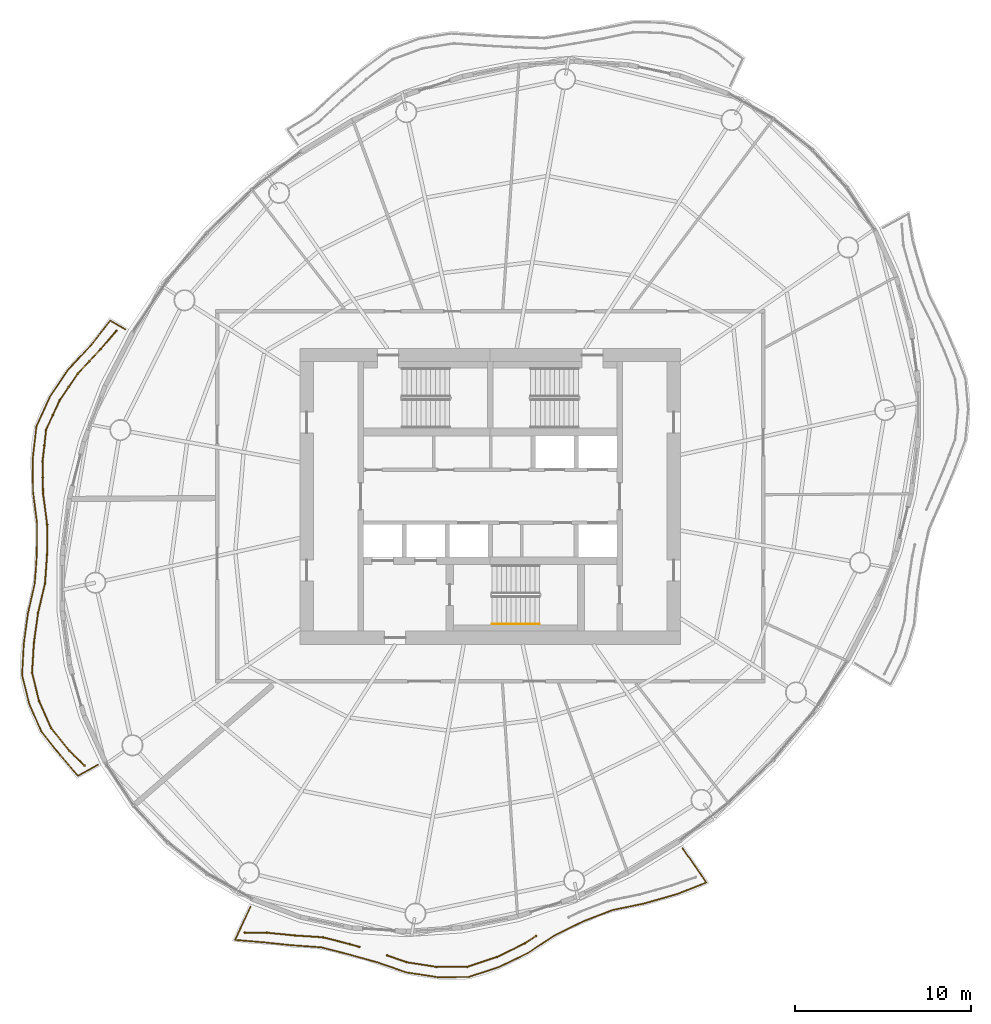
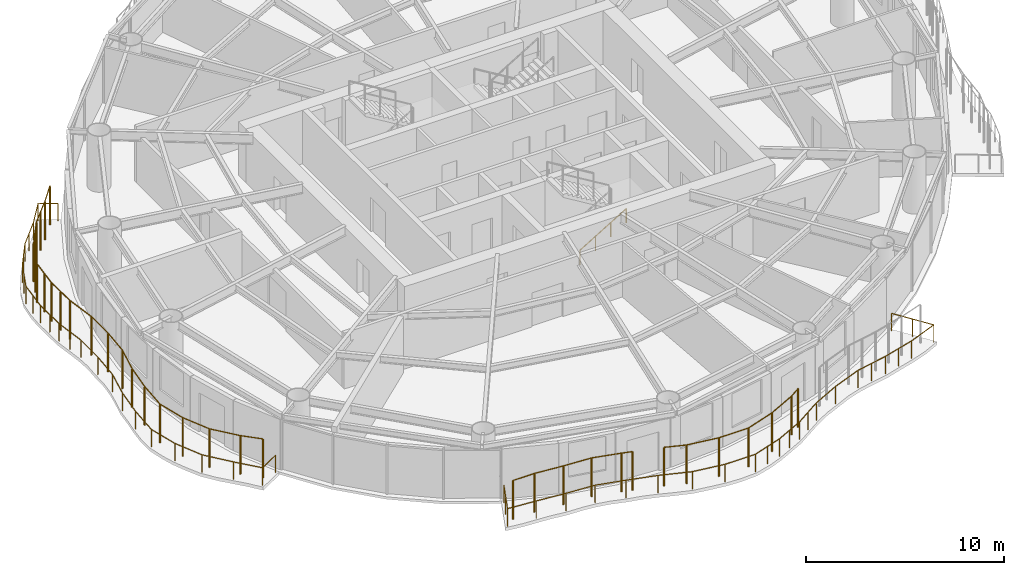
# One storey, part 12 of 15: 6 railings.
"""IFC4 building model written with IfcOpenShell, lengths in metres."""

from ifc_helpers import new_model, si_unit, direction, frame, origin, origin_2d, place, context, subcontext, project, spatial, circle, extrude, material, type_object, element, save


model = new_model("IFC4")

# Units and contexts
model_context = context("Model", 3, precision=1e-05, world=origin(), true_north=direction((0.0, 1.0)))
body_context = subcontext(model_context, "Body", "Model", "MODEL_VIEW")
ifc_project = project(units=[si_unit("LENGTHUNIT", "METRE"), si_unit("AREAUNIT", "SQUARE_METRE"), si_unit("VOLUMEUNIT", "CUBIC_METRE"), si_unit("PLANEANGLEUNIT", "RADIAN"), si_unit("MASSUNIT", "GRAM", prefix="KILO")], contexts=[model_context])

# Site, building, storey
site_placement = place(None, origin())
site = spatial("IfcSite", under=ifc_project, at=site_placement, CompositionType="ELEMENT")
building_placement = place(site_placement, origin())
building = spatial("IfcBuilding", under=site, at=building_placement, Name="Vermilion Reach Broadcast Tower", CompositionType="ELEMENT")
storey_placement = place(building_placement, frame((0.0, 0.0, 220.89990234375)))
storey = spatial("IfcBuildingStorey", under=building, at=storey_placement, Name="L54", CompositionType="ELEMENT", Elevation=220.89990234375)

# Railings
ifc_material_1 = material(Name="Terracotta baguette", Category="masonry")
railing_type_1 = type_object("IfcRailingType", Name="BAGUETTE SCREEN", PredefinedType="USERDEFINED", material=ifc_material_1)
railing_1_placement = place(storey_placement, frame((-27.230712890625, 9.4013671875, 0.0)))
element("IfcRailing", 1, at=railing_1_placement, inside=storey, type_object=railing_type_1, Name="Baguette screen L54 group 2", ObjectType="BAGUETTE SCREEN", PredefinedType="USERDEFINED", context=body_context, shape_type="SweptSolid", body=[
    extrude(circle(Radius=0.030029296875, at=origin_2d()), frame((0.0, 0.0, 2.369873046875), z_axis=(-0.651660571334, -0.758510711704, 0.0), x_axis=(0.758510711704, -0.651660571334, 0.0)), (0.0, 0.0, 1.0), 1.364013671875),
    extrude(circle(Radius=0.030029296875, at=origin_2d()), frame((-0.888916015625, -1.03466796875, 2.369873046875), z_axis=(-0.684090963345, -0.729396705414, 0.0), x_axis=(0.729396705414, -0.684090963345, 0.0)), (0.0, 0.0, 1.0), 1.896728515625),
    extrude(circle(Radius=0.030029296875, at=origin_2d()), frame((-2.1865234375, -2.418212890625, 2.369873046875), z_axis=(-0.562454637264, -0.826828144792, 0.0), x_axis=(0.826828144792, -0.562454637264, 0.0)), (0.0, 0.0, 1.0), 1.846923828125),
    extrude(circle(Radius=0.030029296875, at=origin_2d()), frame((-3.225341796875, -3.9453125, 2.369873046875), z_axis=(-0.416205946911, -0.909270372197, 0.0), x_axis=(0.909270372197, -0.416205946911, 0.0)), (0.0, 0.0, 1.0), 1.8359375),
    extrude(circle(Radius=0.030029296875, at=origin_2d()), frame((-3.989501953125, -5.61474609375, 2.369873046875), z_axis=(-0.111095792971, -0.9938097025, 0.0), x_axis=(0.9938097025, -0.111095792971, 0.0)), (0.0, 0.0, 1.0), 1.815185546875),
    extrude(circle(Radius=0.030029296875, at=origin_2d()), frame((-4.191162109375, -7.418701171875, 2.369873046875), z_axis=(0.01540958798, -0.99988126525, 0.0), x_axis=(0.99988126525, 0.01540958798, 0.0)), (0.0, 0.0, 1.0), 1.822021484375),
    extrude(circle(Radius=0.030029296875, at=origin_2d()), frame((-4.1630859375, -9.240478515625, 2.369873046875), z_axis=(0.130706671115, -0.991421084165, 0.0), x_axis=(0.991421084165, 0.130706671115, 0.0)), (0.0, 0.0, 1.0), 1.778076171875),
    extrude(circle(Radius=0.030029296875, at=origin_2d()), frame((-3.9306640625, -11.00341796875, 2.369873046875), z_axis=(-0.001585469325, -0.999998743143, 0.0), x_axis=(0.999998743143, -0.001585469325, 0.0)), (0.0, 0.0, 1.0), 1.69384765625),
    extrude(circle(Radius=0.030029296875, at=origin_2d()), frame((-3.933349609375, -12.697265625, 2.369873046875), z_axis=(-0.072788238732, -0.997347418056, 0.0), x_axis=(0.997347418056, -0.072788238732, 0.0)), (0.0, 0.0, 1.0), 1.6435546875),
    extrude(circle(Radius=0.030029296875, at=origin_2d()), frame((-4.052978515625, -14.33642578125, 2.369873046875), z_axis=(-0.227592697386, -0.973756419284, 0.0), x_axis=(0.973756419284, -0.227592697386, 0.0)), (0.0, 0.0, 1.0), 1.7216796875),
    extrude(circle(Radius=0.030029296875, at=origin_2d()), frame((-4.44482421875, -16.012939453125, 2.369873046875), z_axis=(-0.13965106726, -0.990200777324, 0.0), x_axis=(0.990200777324, -0.13965106726, 0.0)), (0.0, 0.0, 1.0), 1.69921875),
    extrude(circle(Radius=0.030029296875, at=origin_2d()), frame((-4.68212890625, -17.695556640625, 2.369873046875), z_axis=(-0.061121543369, -0.998130330636, 0.0), x_axis=(0.998130330636, -0.061121543369, 0.0)), (0.0, 0.0, 1.0), 1.7294921875),
    extrude(circle(Radius=0.030029296875, at=origin_2d()), frame((-4.787841796875, -19.421875, 2.369873046875), z_axis=(0.24066492346, -0.970608260121, 0.0), x_axis=(0.970608260121, 0.24066492346, 0.0)), (0.0, 0.0, 1.0), 1.65869140625),
    extrude(circle(Radius=0.030029296875, at=origin_2d()), frame((-4.388671875, -21.03173828125, 2.369873046875), z_axis=(0.405024092099, -0.914306012678, 0.0), x_axis=(0.914306012678, 0.405024092099, 0.0)), (0.0, 0.0, 1.0), 1.667236328125),
    extrude(circle(Radius=0.030029296875, at=origin_2d()), frame((-3.71337890625, -22.55615234375, 2.369873046875), z_axis=(0.628975651827, -0.777424999218, 0.0), x_axis=(0.777424999218, 0.628975651827, 0.0)), (0.0, 0.0, 1.0), 1.672607421875),
    extrude(circle(Radius=0.030029296875, at=origin_2d()), frame((-2.661376953125, -23.8564453125, 2.369873046875), z_axis=(0.715979618949, -0.698121182353, 0.0), x_axis=(0.698121182353, 0.715979618949, 0.0)), (0.0, 0.0, 1.0), 1.189453125),
    extrude(circle(Radius=0.050048828125, at=origin_2d()), origin(), (0.0, 0.0, 1.0), 2.33984375),
    extrude(circle(Radius=0.050048828125, at=origin_2d()), frame((-0.888916015625, -1.03466796875, 0.0)), (0.0, 0.0, 1.0), 2.33984375),
    extrude(circle(Radius=0.050048828125, at=origin_2d()), frame((-1.53759765625, -1.7265625, 0.0)), (0.0, 0.0, 1.0), 2.33984375),
    extrude(circle(Radius=0.050048828125, at=origin_2d()), frame((-2.1865234375, -2.418212890625, 0.0)), (0.0, 0.0, 1.0), 2.33984375),
    extrude(circle(Radius=0.050048828125, at=origin_2d()), frame((-2.7060546875, -3.181640625, 0.0)), (0.0, 0.0, 1.0), 2.33984375),
    extrude(circle(Radius=0.050048828125, at=origin_2d()), frame((-3.225341796875, -3.9453125, 0.0)), (0.0, 0.0, 1.0), 2.33984375),
    extrude(circle(Radius=0.050048828125, at=origin_2d()), frame((-3.607421875, -4.780029296875, 0.0)), (0.0, 0.0, 1.0), 2.33984375),
    extrude(circle(Radius=0.050048828125, at=origin_2d()), frame((-3.989501953125, -5.61474609375, 0.0)), (0.0, 0.0, 1.0), 2.33984375),
    extrude(circle(Radius=0.050048828125, at=origin_2d()), frame((-4.09033203125, -6.5166015625, 0.0)), (0.0, 0.0, 1.0), 2.33984375),
    extrude(circle(Radius=0.050048828125, at=origin_2d()), frame((-4.191162109375, -7.418701171875, 0.0)), (0.0, 0.0, 1.0), 2.33984375),
    extrude(circle(Radius=0.050048828125, at=origin_2d()), frame((-4.17724609375, -8.32958984375, 0.0)), (0.0, 0.0, 1.0), 2.33984375),
    extrude(circle(Radius=0.050048828125, at=origin_2d()), frame((-4.1630859375, -9.240478515625, 0.0)), (0.0, 0.0, 1.0), 2.33984375),
    extrude(circle(Radius=0.050048828125, at=origin_2d()), frame((-3.9306640625, -11.00341796875, 0.0)), (0.0, 0.0, 1.0), 2.33984375),
    extrude(circle(Radius=0.050048828125, at=origin_2d()), frame((-3.933349609375, -12.697265625, 0.0)), (0.0, 0.0, 1.0), 2.33984375),
    extrude(circle(Radius=0.050048828125, at=origin_2d()), frame((-4.052978515625, -14.33642578125, 0.0)), (0.0, 0.0, 1.0), 2.33984375),
    extrude(circle(Radius=0.050048828125, at=origin_2d()), frame((-4.44482421875, -16.012939453125, 0.0)), (0.0, 0.0, 1.0), 2.33984375),
    extrude(circle(Radius=0.050048828125, at=origin_2d()), frame((-4.68212890625, -17.695556640625, 0.0)), (0.0, 0.0, 1.0), 2.33984375),
    extrude(circle(Radius=0.050048828125, at=origin_2d()), frame((-4.787841796875, -19.421875, 0.0)), (0.0, 0.0, 1.0), 2.33984375),
    extrude(circle(Radius=0.050048828125, at=origin_2d()), frame((-4.388671875, -21.03173828125, 0.0)), (0.0, 0.0, 1.0), 2.33984375),
    extrude(circle(Radius=0.050048828125, at=origin_2d()), frame((-3.71337890625, -22.55615234375, 0.0)), (0.0, 0.0, 1.0), 2.33984375),
    extrude(circle(Radius=0.050048828125, at=origin_2d()), frame((-2.661376953125, -23.8564453125, 0.0)), (0.0, 0.0, 1.0), 2.33984375),
    extrude(circle(Radius=0.050048828125, at=origin_2d()), frame((-1.809814453125, -24.686767578125, 0.0)), (0.0, 0.0, 1.0), 2.33984375),
])
railing_2_placement = place(storey_placement, frame((-19.934814453125, -24.775634765625, 0.0)))
element("IfcRailing", 2, at=railing_2_placement, inside=storey, type_object=railing_type_1, Name="Baguette screen L54 group 3 part 1", ObjectType="BAGUETTE SCREEN", PredefinedType="USERDEFINED", context=body_context, shape_type="SweptSolid", body=[
    extrude(circle(Radius=0.030029296875, at=origin_2d()), frame((0.0, 0.0, 2.369873046875), z_axis=(0.999999827599, -0.000587198959, 0.0), x_axis=(0.000587198959, 0.999999827599, 0.0)), (0.0, 0.0, 1.0), 1.247314453125),
    extrude(circle(Radius=0.030029296875, at=origin_2d()), frame((1.247314453125, -0.000732421875, 2.369873046875), z_axis=(0.995204453765, -0.097816640748, 0.0), x_axis=(0.097816640748, 0.995204453765, 0.0)), (0.0, 0.0, 1.0), 1.60498046875),
    extrude(circle(Radius=0.030029296875, at=origin_2d()), frame((2.844482421875, -0.15771484375, 2.369873046875), z_axis=(0.997893231731, -0.064877562106, 0.0), x_axis=(0.064877562106, 0.997893231731, 0.0)), (0.0, 0.0, 1.0), 1.599365234375),
    extrude(circle(Radius=0.030029296875, at=origin_2d()), frame((4.4404296875, -0.261474609375, 2.369873046875), z_axis=(0.968455427863, -0.249186846046, 0.0), x_axis=(0.249186846046, 0.968455427863, 0.0)), (0.0, 0.0, 1.0), 1.570556640625),
    extrude(circle(Radius=0.030029296875, at=origin_2d()), frame((5.96142578125, -0.65283203125, 2.369873046875), z_axis=(0.962584558885, -0.270981488292, 0.0), x_axis=(0.270981488292, 0.962584558885, 0.0)), (0.0, 0.0, 1.0), 0.5693359375),
    extrude(circle(Radius=0.050048828125, at=origin_2d()), origin(), (0.0, 0.0, 1.0), 2.33984375),
    extrude(circle(Radius=0.050048828125, at=origin_2d()), frame((1.247314453125, -0.000732421875, 0.0)), (0.0, 0.0, 1.0), 2.33984375),
    extrude(circle(Radius=0.050048828125, at=origin_2d()), frame((2.844482421875, -0.15771484375, 0.0)), (0.0, 0.0, 1.0), 2.33984375),
    extrude(circle(Radius=0.050048828125, at=origin_2d()), frame((4.4404296875, -0.261474609375, 0.0)), (0.0, 0.0, 1.0), 2.33984375),
    extrude(circle(Radius=0.050048828125, at=origin_2d()), frame((5.96142578125, -0.65283203125, 0.0)), (0.0, 0.0, 1.0), 2.33984375),
    extrude(circle(Radius=0.050048828125, at=origin_2d()), frame((6.509521484375, -0.80712890625, 0.0)), (0.0, 0.0, 1.0), 2.33984375),
])
railing_3_placement = place(storey_placement, frame((-11.856201171875, -26.063720703125, 0.0)))
element("IfcRailing", 3, at=railing_3_placement, inside=storey, type_object=railing_type_1, Name="Baguette screen L54 group 3 part 2", ObjectType="BAGUETTE SCREEN", PredefinedType="USERDEFINED", context=body_context, shape_type="SweptSolid", body=[
    extrude(circle(Radius=0.030029296875, at=origin_2d()), frame((0.0, 0.0, 2.369873046875), z_axis=(0.942466408716, -0.334300865154, 0.0), x_axis=(0.334300865154, 0.942466408716, 0.0)), (0.0, 0.0, 1.0), 1.1552734375),
    extrude(circle(Radius=0.030029296875, at=origin_2d()), frame((1.0888671875, -0.38623046875, 2.369873046875), z_axis=(0.987993349746, -0.154496410499, 0.0), x_axis=(0.154496410499, 0.987993349746, 0.0)), (0.0, 0.0, 1.0), 1.74462890625),
    extrude(circle(Radius=0.030029296875, at=origin_2d()), frame((2.8125, -0.65576171875, 2.369873046875), z_axis=(0.999999960292, 0.000281809204, 0.0), x_axis=(-0.000281809204, 0.999999960292, 0.0)), (0.0, 0.0, 1.0), 1.732666015625),
    extrude(circle(Radius=0.030029296875, at=origin_2d()), frame((4.545166015625, -0.6552734375, 2.369873046875), z_axis=(0.948888396353, 0.315611804701, 0.0), x_axis=(-0.315611804701, 0.948888396353, 0.0)), (0.0, 0.0, 1.0), 1.78369140625),
    extrude(circle(Radius=0.030029296875, at=origin_2d()), frame((6.23779296875, -0.09228515625, 2.369873046875), z_axis=(0.898312250038, 0.439357600858, 0.0), x_axis=(-0.439357600858, 0.898312250038, 0.0)), (0.0, 0.0, 1.0), 1.781494140625),
    extrude(circle(Radius=0.030029296875, at=origin_2d()), frame((7.838134765625, 0.6904296875, 2.369873046875), z_axis=(0.834180504305, 0.551491510575, 0.0), x_axis=(-0.551491510575, 0.834180504305, 0.0)), (0.0, 0.0, 1.0), 0.738525390625),
    extrude(circle(Radius=0.050048828125, at=origin_2d()), origin(), (0.0, 0.0, 1.0), 2.33984375),
    extrude(circle(Radius=0.050048828125, at=origin_2d()), frame((1.0888671875, -0.38623046875, 0.0)), (0.0, 0.0, 1.0), 2.33984375),
    extrude(circle(Radius=0.050048828125, at=origin_2d()), frame((2.8125, -0.65576171875, 0.0)), (0.0, 0.0, 1.0), 2.33984375),
    extrude(circle(Radius=0.050048828125, at=origin_2d()), frame((4.545166015625, -0.6552734375, 0.0)), (0.0, 0.0, 1.0), 2.33984375),
    extrude(circle(Radius=0.050048828125, at=origin_2d()), frame((6.23779296875, -0.09228515625, 0.0)), (0.0, 0.0, 1.0), 2.33984375),
    extrude(circle(Radius=0.050048828125, at=origin_2d()), frame((7.838134765625, 0.6904296875, 0.0)), (0.0, 0.0, 1.0), 2.33984375),
    extrude(circle(Radius=0.050048828125, at=origin_2d()), frame((8.4541015625, 1.09765625, 0.0)), (0.0, 0.0, 1.0), 2.33984375),
])
ifc_material_2 = material(Name="Stainless steel 316 balustrade", Category="steel")
railing_type_2 = type_object("IfcRailingType", Name="Balcony guard 1100", PredefinedType="BALUSTRADE", material=ifc_material_2)
railing_4_placement = place(storey_placement, frame((-26.711669921875, 9.4775390625, 0.0)))
element("IfcRailing", 4, at=railing_4_placement, inside=storey, type_object=railing_type_2, Name="Balcony guard L54 group 2", PredefinedType="BALUSTRADE", context=body_context, shape_type="SweptSolid", body=[
    extrude(circle(Radius=0.02490234375, at=origin_2d()), frame((0.0, 0.0, 1.0751953125), z_axis=(-0.861109975572, 0.508418734873, 0.0), x_axis=(-0.508418734873, -0.861109975572, 0.0)), (0.0, 0.0, 1.0), 1.006591796875),
    extrude(circle(Radius=0.02490234375, at=origin_2d()), frame((-0.86669921875, 0.51171875, 1.0751953125), z_axis=(-0.61462891122, -0.788816392763, 0.0), x_axis=(0.788816392763, -0.61462891122, 0.0)), (0.0, 0.0, 1.0), 1.71826171875),
    extrude(circle(Radius=0.02490234375, at=origin_2d()), frame((-1.9228515625, -0.84375, 1.0751953125), z_axis=(-0.680407383219, -0.732834082764, 0.0), x_axis=(0.732834082764, -0.680407383219, 0.0)), (0.0, 0.0, 1.0), 1.927978515625),
    extrude(circle(Radius=0.02490234375, at=origin_2d()), frame((-3.234619140625, -2.256591796875, 1.0751953125), z_axis=(-0.559428227893, -0.828878795625, 0.0), x_axis=(0.828878795625, -0.559428227893, 0.0)), (0.0, 0.0, 1.0), 1.879150390625),
    extrude(circle(Radius=0.02490234375, at=origin_2d()), frame((-4.285888671875, -3.814208984375, 1.0751953125), z_axis=(-0.414806078637, -0.909909840108, 0.0), x_axis=(0.909909840108, -0.414806078637, 0.0)), (0.0, 0.0, 1.0), 1.869873046875),
    extrude(circle(Radius=0.02490234375, at=origin_2d()), frame((-5.0615234375, -5.515625, 1.0751953125), z_axis=(-0.113982402221, -0.993482768841, 0.0), x_axis=(0.993482768841, -0.113982402221, 0.0)), (0.0, 0.0, 1.0), 1.848388671875),
    extrude(circle(Radius=0.02490234375, at=origin_2d()), frame((-5.272216796875, -7.35205078125, 1.0751953125), z_axis=(0.010914657544, -0.999940433351, 0.0), x_axis=(0.999940433351, 0.010914657544, 0.0)), (0.0, 0.0, 1.0), 1.8564453125),
    extrude(circle(Radius=0.02490234375, at=origin_2d()), frame((-5.251953125, -9.20849609375, 1.0751953125), z_axis=(0.125162223433, -0.992136289945, 0.0), x_axis=(0.992136289945, 0.125162223433, 0.0)), (0.0, 0.0, 1.0), 1.81201171875),
    extrude(circle(Radius=0.02490234375, at=origin_2d()), frame((-5.025146484375, -11.00634765625, 1.0751953125), z_axis=(-0.003526071169, -0.999993783392, 0.0), x_axis=(0.999993783392, -0.003526071169, 0.0)), (0.0, 0.0, 1.0), 1.73095703125),
    extrude(circle(Radius=0.02490234375, at=origin_2d()), frame((-5.03125, -12.7373046875, 1.0751953125), z_axis=(-0.071907746462, -0.997411287283, 0.0), x_axis=(0.997411287283, -0.071907746462, 0.0)), (0.0, 0.0, 1.0), 1.6806640625),
    extrude(circle(Radius=0.02490234375, at=origin_2d()), frame((-5.152099609375, -14.41357421875, 1.0751953125), z_axis=(-0.221878989739, -0.975074209439, 0.0), x_axis=(0.975074209439, -0.221878989739, 0.0)), (0.0, 0.0, 1.0), 1.759521484375),
    extrude(circle(Radius=0.02490234375, at=origin_2d()), frame((-5.54248046875, -16.129150390625, 1.0751953125), z_axis=(-0.134335608874, -0.990935893077, 0.0), x_axis=(0.990935893077, -0.134335608874, 0.0)), (0.0, 0.0, 1.0), 1.737548828125),
    extrude(circle(Radius=0.02490234375, at=origin_2d()), frame((-5.77587890625, -17.850830078125, 1.0751953125), z_axis=(-0.055599918562, -0.998453128122, 0.0), x_axis=(0.998453128122, -0.055599918562, 0.0)), (0.0, 0.0, 1.0), 1.76953125),
    extrude(circle(Radius=0.02490234375, at=origin_2d()), frame((-5.874267578125, -19.61767578125, 1.0751953125), z_axis=(0.240676802386, -0.970605314633, 0.0), x_axis=(0.970605314633, 0.240676802386, 0.0)), (0.0, 0.0, 1.0), 1.7001953125),
    extrude(circle(Radius=0.02490234375, at=origin_2d()), frame((-5.465087890625, -21.267822265625, 1.0751953125), z_axis=(0.402585513919, -0.915382381294, 0.0), x_axis=(0.915382381294, 0.402585513919, 0.0)), (0.0, 0.0, 1.0), 1.710205078125),
    extrude(circle(Radius=0.02490234375, at=origin_2d()), frame((-4.776611328125, -22.833251953125, 1.0751953125), z_axis=(0.62346094432, -0.781854494716, 0.0), x_axis=(0.781854494716, 0.62346094432, 0.0)), (0.0, 0.0, 1.0), 1.7138671875),
    extrude(circle(Radius=0.02490234375, at=origin_2d()), frame((-3.7080078125, -24.17333984375, 1.0751953125), z_axis=(0.652792724984, -0.757536572192, 0.0), x_axis=(0.757536572192, 0.652792724984, 0.0)), (0.0, 0.0, 1.0), 1.54541015625),
    extrude(circle(Radius=0.02490234375, at=origin_2d()), frame((-2.69921875, -25.343994140625, 1.0751953125), z_axis=(0.874877497218, 0.484344262753, 0.0), x_axis=(-0.484344262753, 0.874877497218, 0.0)), (0.0, 0.0, 1.0), 1.29345703125),
    extrude(circle(Radius=0.02490234375, at=origin_2d()), origin(), (0.0, 0.0, 1.0), 1.050048828125),
    extrude(circle(Radius=0.02490234375, at=origin_2d()), frame((-0.86669921875, 0.51171875, 0.0)), (0.0, 0.0, 1.0), 1.050048828125),
    extrude(circle(Radius=0.02490234375, at=origin_2d()), frame((-1.9228515625, -0.84375, 0.0)), (0.0, 0.0, 1.0), 1.050048828125),
    extrude(circle(Radius=0.02490234375, at=origin_2d()), frame((-2.57861328125, -1.55029296875, 0.0)), (0.0, 0.0, 1.0), 1.050048828125),
    extrude(circle(Radius=0.02490234375, at=origin_2d()), frame((-3.234619140625, -2.256591796875, 0.0)), (0.0, 0.0, 1.0), 1.050048828125),
    extrude(circle(Radius=0.02490234375, at=origin_2d()), frame((-3.76025390625, -3.035400390625, 0.0)), (0.0, 0.0, 1.0), 1.050048828125),
    extrude(circle(Radius=0.02490234375, at=origin_2d()), frame((-4.285888671875, -3.814208984375, 0.0)), (0.0, 0.0, 1.0), 1.050048828125),
    extrude(circle(Radius=0.02490234375, at=origin_2d()), frame((-4.673828125, -4.6650390625, 0.0)), (0.0, 0.0, 1.0), 1.050048828125),
    extrude(circle(Radius=0.02490234375, at=origin_2d()), frame((-5.0615234375, -5.515625, 0.0)), (0.0, 0.0, 1.0), 1.050048828125),
    extrude(circle(Radius=0.02490234375, at=origin_2d()), frame((-5.1669921875, -6.433837890625, 0.0)), (0.0, 0.0, 1.0), 1.050048828125),
    extrude(circle(Radius=0.02490234375, at=origin_2d()), frame((-5.272216796875, -7.35205078125, 0.0)), (0.0, 0.0, 1.0), 1.050048828125),
    extrude(circle(Radius=0.02490234375, at=origin_2d()), frame((-5.26220703125, -8.2802734375, 0.0)), (0.0, 0.0, 1.0), 1.050048828125),
    extrude(circle(Radius=0.02490234375, at=origin_2d()), frame((-5.251953125, -9.20849609375, 0.0)), (0.0, 0.0, 1.0), 1.050048828125),
    extrude(circle(Radius=0.02490234375, at=origin_2d()), frame((-5.138671875, -10.107421875, 0.0)), (0.0, 0.0, 1.0), 1.050048828125),
    extrude(circle(Radius=0.02490234375, at=origin_2d()), frame((-5.025146484375, -11.00634765625, 0.0)), (0.0, 0.0, 1.0), 1.050048828125),
    extrude(circle(Radius=0.02490234375, at=origin_2d()), frame((-5.03125, -12.7373046875, 0.0)), (0.0, 0.0, 1.0), 1.050048828125),
    extrude(circle(Radius=0.02490234375, at=origin_2d()), frame((-5.152099609375, -14.41357421875, 0.0)), (0.0, 0.0, 1.0), 1.050048828125),
    extrude(circle(Radius=0.02490234375, at=origin_2d()), frame((-5.54248046875, -16.129150390625, 0.0)), (0.0, 0.0, 1.0), 1.050048828125),
    extrude(circle(Radius=0.02490234375, at=origin_2d()), frame((-5.77587890625, -17.850830078125, 0.0)), (0.0, 0.0, 1.0), 1.050048828125),
    extrude(circle(Radius=0.02490234375, at=origin_2d()), frame((-5.874267578125, -19.61767578125, 0.0)), (0.0, 0.0, 1.0), 1.050048828125),
    extrude(circle(Radius=0.02490234375, at=origin_2d()), frame((-5.465087890625, -21.267822265625, 0.0)), (0.0, 0.0, 1.0), 1.050048828125),
    extrude(circle(Radius=0.02490234375, at=origin_2d()), frame((-4.776611328125, -22.833251953125, 0.0)), (0.0, 0.0, 1.0), 1.050048828125),
    extrude(circle(Radius=0.02490234375, at=origin_2d()), frame((-3.7080078125, -24.17333984375, 0.0)), (0.0, 0.0, 1.0), 1.050048828125),
    extrude(circle(Radius=0.02490234375, at=origin_2d()), frame((-2.69921875, -25.343994140625, 0.0)), (0.0, 0.0, 1.0), 1.050048828125),
    extrude(circle(Radius=0.02490234375, at=origin_2d()), frame((-1.567626953125, -24.717529296875, 0.0)), (0.0, 0.0, 1.0), 1.050048828125),
])
railing_5_placement = place(storey_placement, frame((-19.6162109375, -23.30712890625, 0.0)))
element("IfcRailing", 5, at=railing_5_placement, inside=storey, type_object=railing_type_2, Name="Balcony guard L54 group 3", PredefinedType="BALUSTRADE", context=body_context, shape_type="SweptSolid", body=[
    extrude(circle(Radius=0.02490234375, at=origin_2d()), frame((0.0, 0.0, 1.0751953125), z_axis=(-0.420813525774, -0.907147163654, 0.0), x_axis=(0.907147163654, -0.420813525774, 0.0)), (0.0, 0.0, 1.0), 2.07177734375),
    extrude(circle(Radius=0.02490234375, at=origin_2d()), frame((-0.871826171875, -1.87939453125, 1.0751953125), z_axis=(0.996538403883, -0.08313368503, 0.0), x_axis=(0.08313368503, 0.996538403883, 0.0)), (0.0, 0.0, 1.0), 1.603515625),
    extrude(circle(Radius=0.02490234375, at=origin_2d()), frame((0.72607421875, -2.0126953125, 1.0751953125), z_axis=(0.994633037535, -0.103465552936, 0.0), x_axis=(0.103465552936, 0.994633037535, 0.0)), (0.0, 0.0, 1.0), 1.64697265625),
    extrude(circle(Radius=0.02490234375, at=origin_2d()), frame((2.3642578125, -2.18310546875, 1.0751953125), z_axis=(0.997575821036, -0.069587939223, 0.0), x_axis=(0.069587939223, 0.997575821036, 0.0)), (0.0, 0.0, 1.0), 1.641845703125),
    extrude(circle(Radius=0.02490234375, at=origin_2d()), frame((4.002197265625, -2.29736328125, 1.0751953125), z_axis=(0.968954784509, -0.247237993796, 0.0), x_axis=(0.247237993796, 0.968954784509, 0.0)), (0.0, 0.0, 1.0), 1.611572265625),
    extrude(circle(Radius=0.02490234375, at=origin_2d()), frame((5.563720703125, -2.69580078125, 1.0751953125), z_axis=(0.963688112675, -0.267030375592, 0.0), x_axis=(0.267030375592, 0.963688112675, 0.0)), (0.0, 0.0, 1.0), 1.68310546875),
    extrude(circle(Radius=0.02490234375, at=origin_2d()), frame((7.185791015625, -3.145263671875, 1.0751953125), z_axis=(0.944717194068, -0.327886296195, 0.0), x_axis=(0.327886296195, 0.944717194068, 0.0)), (0.0, 0.0, 1.0), 1.76171875),
    extrude(circle(Radius=0.02490234375, at=origin_2d()), frame((8.85009765625, -3.722900390625, 1.0751953125), z_axis=(0.988653344872, -0.150215058078, 0.0), x_axis=(0.150215058078, 0.988653344872, 0.0)), (0.0, 0.0, 1.0), 1.782958984375),
    extrude(circle(Radius=0.02490234375, at=origin_2d()), frame((10.61279296875, -3.99072265625, 1.0751953125), z_axis=(0.999997250145, 0.002345144606, 0.0), x_axis=(-0.002345144606, 0.999997250145, 0.0)), (0.0, 0.0, 1.0), 1.769775390625),
    extrude(circle(Radius=0.02490234375, at=origin_2d()), frame((12.382568359375, -3.986572265625, 1.0751953125), z_axis=(0.949883355372, 0.312604560408, 0.0), x_axis=(-0.312604560408, 0.949883355372, 0.0)), (0.0, 0.0, 1.0), 1.820556640625),
    extrude(circle(Radius=0.02490234375, at=origin_2d()), frame((14.11181640625, -3.41748046875, 1.0751953125), z_axis=(0.90021195538, 0.435451989766, 0.0), x_axis=(-0.435451989766, 0.90021195538, 0.0)), (0.0, 0.0, 1.0), 1.81591796875),
    extrude(circle(Radius=0.02490234375, at=origin_2d()), frame((15.74658203125, -2.626708984375, 1.0751953125), z_axis=(0.837205478334, 0.54688845942, 0.0), x_axis=(-0.54688845942, 0.837205478334, 0.0)), (0.0, 0.0, 1.0), 1.859375),
    extrude(circle(Radius=0.02490234375, at=origin_2d()), frame((17.30322265625, -1.60986328125, 1.0751953125), z_axis=(0.89709066792, 0.441846504492, 0.0), x_axis=(-0.441846504492, 0.89709066792, 0.0)), (0.0, 0.0, 1.0), 1.767578125),
    extrude(circle(Radius=0.02490234375, at=origin_2d()), frame((18.888916015625, -0.828857421875, 1.0751953125), z_axis=(0.932605137397, 0.360898403572, 0.0), x_axis=(-0.360898403572, 0.932605137397, 0.0)), (0.0, 0.0, 1.0), 1.789306640625),
    extrude(circle(Radius=0.02490234375, at=origin_2d()), frame((20.5576171875, -0.18310546875, 1.0751953125), z_axis=(0.979060989404, 0.203567136411, 0.0), x_axis=(-0.203567136411, 0.979060989404, 0.0)), (0.0, 0.0, 1.0), 1.86376953125),
    extrude(circle(Radius=0.02490234375, at=origin_2d()), frame((22.38232421875, 0.1962890625, 1.0751953125), z_axis=(0.961552862356, 0.274619906225, 0.0), x_axis=(-0.274619906225, 0.961552862356, 0.0)), (0.0, 0.0, 1.0), 1.911376953125),
    extrude(circle(Radius=0.02490234375, at=origin_2d()), frame((24.22021484375, 0.72119140625, 1.0751953125), z_axis=(0.930010574256, 0.367532762855, 0.0), x_axis=(-0.367532762855, 0.930010574256, 0.0)), (0.0, 0.0, 1.0), 1.790771484375),
    extrude(circle(Radius=0.02490234375, at=origin_2d()), frame((25.8857421875, 1.37939453125, 1.0751953125), z_axis=(-0.568414056684, 0.82274264516, 0.0), x_axis=(-0.82274264516, -0.568414056684, 0.0)), (0.0, 0.0, 1.0), 2.361572265625),
    extrude(circle(Radius=0.02490234375, at=origin_2d()), origin(), (0.0, 0.0, 1.0), 1.050048828125),
    extrude(circle(Radius=0.02490234375, at=origin_2d()), frame((-0.43603515625, -0.939697265625, 0.0)), (0.0, 0.0, 1.0), 1.050048828125),
    extrude(circle(Radius=0.02490234375, at=origin_2d()), frame((-0.871826171875, -1.87939453125, 0.0)), (0.0, 0.0, 1.0), 1.050048828125),
    extrude(circle(Radius=0.02490234375, at=origin_2d()), frame((0.72607421875, -2.0126953125, 0.0)), (0.0, 0.0, 1.0), 1.050048828125),
    extrude(circle(Radius=0.02490234375, at=origin_2d()), frame((2.3642578125, -2.18310546875, 0.0)), (0.0, 0.0, 1.0), 1.050048828125),
    extrude(circle(Radius=0.02490234375, at=origin_2d()), frame((4.002197265625, -2.29736328125, 0.0)), (0.0, 0.0, 1.0), 1.050048828125),
    extrude(circle(Radius=0.02490234375, at=origin_2d()), frame((5.563720703125, -2.69580078125, 0.0)), (0.0, 0.0, 1.0), 1.050048828125),
    extrude(circle(Radius=0.02490234375, at=origin_2d()), frame((7.185791015625, -3.145263671875, 0.0)), (0.0, 0.0, 1.0), 1.050048828125),
    extrude(circle(Radius=0.02490234375, at=origin_2d()), frame((8.85009765625, -3.722900390625, 0.0)), (0.0, 0.0, 1.0), 1.050048828125),
    extrude(circle(Radius=0.02490234375, at=origin_2d()), frame((10.61279296875, -3.99072265625, 0.0)), (0.0, 0.0, 1.0), 1.050048828125),
    extrude(circle(Radius=0.02490234375, at=origin_2d()), frame((12.382568359375, -3.986572265625, 0.0)), (0.0, 0.0, 1.0), 1.050048828125),
    extrude(circle(Radius=0.02490234375, at=origin_2d()), frame((13.2470703125, -3.7021484375, 0.0)), (0.0, 0.0, 1.0), 1.050048828125),
    extrude(circle(Radius=0.02490234375, at=origin_2d()), frame((14.11181640625, -3.41748046875, 0.0)), (0.0, 0.0, 1.0), 1.050048828125),
    extrude(circle(Radius=0.02490234375, at=origin_2d()), frame((14.92919921875, -3.02197265625, 0.0)), (0.0, 0.0, 1.0), 1.050048828125),
    extrude(circle(Radius=0.02490234375, at=origin_2d()), frame((15.74658203125, -2.626708984375, 0.0)), (0.0, 0.0, 1.0), 1.050048828125),
    extrude(circle(Radius=0.02490234375, at=origin_2d()), frame((16.52490234375, -2.1181640625, 0.0)), (0.0, 0.0, 1.0), 1.050048828125),
    extrude(circle(Radius=0.02490234375, at=origin_2d()), frame((17.30322265625, -1.60986328125, 0.0)), (0.0, 0.0, 1.0), 1.050048828125),
    extrude(circle(Radius=0.02490234375, at=origin_2d()), frame((18.888916015625, -0.828857421875, 0.0)), (0.0, 0.0, 1.0), 1.050048828125),
    extrude(circle(Radius=0.02490234375, at=origin_2d()), frame((20.5576171875, -0.18310546875, 0.0)), (0.0, 0.0, 1.0), 1.050048828125),
    extrude(circle(Radius=0.02490234375, at=origin_2d()), frame((21.469970703125, 0.006591796875, 0.0)), (0.0, 0.0, 1.0), 1.050048828125),
    extrude(circle(Radius=0.02490234375, at=origin_2d()), frame((22.38232421875, 0.1962890625, 0.0)), (0.0, 0.0, 1.0), 1.050048828125),
    extrude(circle(Radius=0.02490234375, at=origin_2d()), frame((23.30126953125, 0.458740234375, 0.0)), (0.0, 0.0, 1.0), 1.050048828125),
    extrude(circle(Radius=0.02490234375, at=origin_2d()), frame((24.22021484375, 0.72119140625, 0.0)), (0.0, 0.0, 1.0), 1.050048828125),
    extrude(circle(Radius=0.02490234375, at=origin_2d()), frame((25.8857421875, 1.37939453125, 0.0)), (0.0, 0.0, 1.0), 1.050048828125),
    extrude(circle(Radius=0.02490234375, at=origin_2d()), frame((25.214599609375, 2.350830078125, 0.0)), (0.0, 0.0, 1.0), 1.050048828125),
    extrude(circle(Radius=0.02490234375, at=origin_2d()), frame((24.54345703125, 3.322265625, 0.0)), (0.0, 0.0, 1.0), 1.050048828125),
])
ifc_material_3 = material(Name="Stainless steel", Category="steel")
railing_type_3 = type_object("IfcRailingType", Name="Stair handrail", PredefinedType="HANDRAIL", material=ifc_material_3)
railing_6_placement = place(storey_placement, frame((-5.89990234375, -7.25, 0.163818359375)))
element("IfcRailing", 6, at=railing_6_placement, inside=storey, type_object=railing_type_3, Name="L54 ST3 stair handrail 1", PredefinedType="HANDRAIL", context=body_context, shape_type="SweptSolid", body=[
    extrude(circle(Radius=0.02392578125, at=origin_2d()), frame((0.0, 0.0, 0.8759765625), z_axis=(0.855212373127, 0.0, 0.518277721738), x_axis=(0.0, 1.0, 0.0)), (0.0, 0.0, 1.0), 3.156982421875),
    extrude(circle(Radius=0.02099609375, at=origin_2d()), origin(), (0.0, 0.0, 1.0), 0.851806640625),
    extrude(circle(Radius=0.02099609375, at=origin_2d()), frame((0.89990234375, 0.0, 0.54541015625)), (0.0, 0.0, 1.0), 0.851806640625),
    extrude(circle(Radius=0.02099609375, at=origin_2d()), frame((1.800048828125, 0.0, 1.0908203125)), (0.0, 0.0, 1.0), 0.851806640625),
    extrude(circle(Radius=0.02099609375, at=origin_2d()), frame((2.699951171875, 0.0, 1.63623046875)), (0.0, 0.0, 1.0), 0.851806640625),
])

save(model, "model.ifc")
